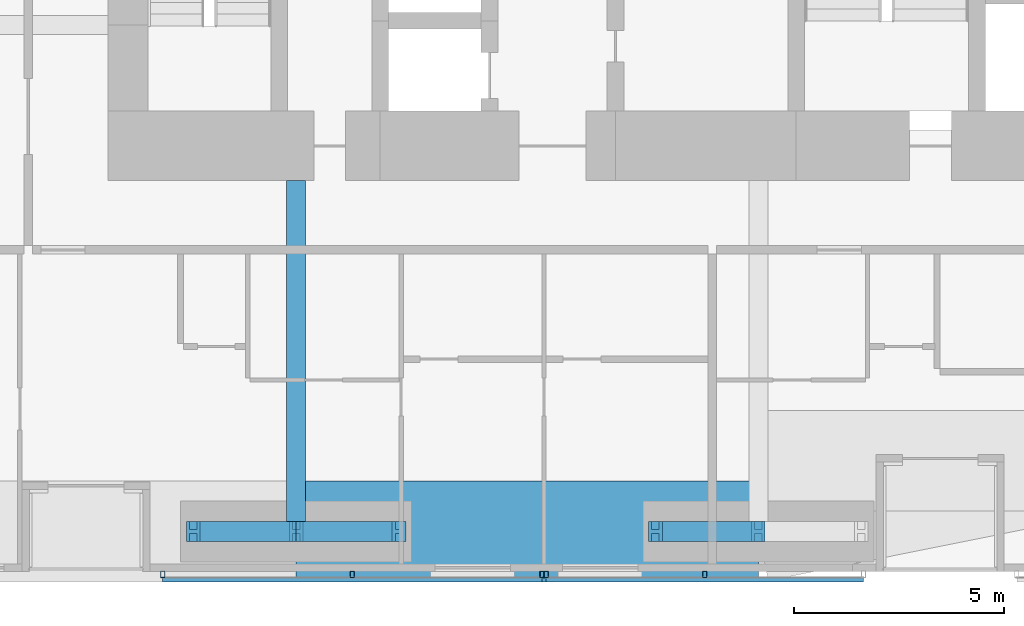
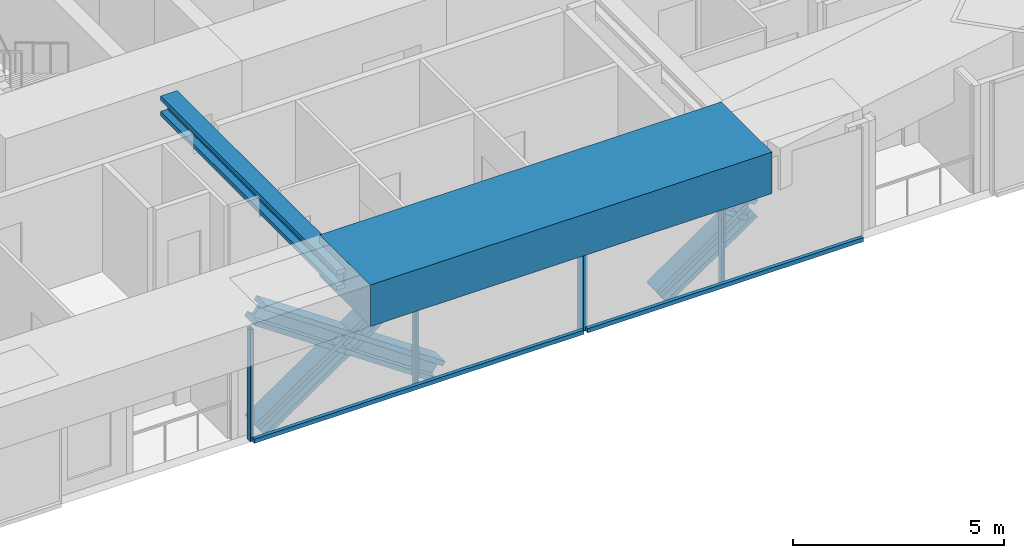
# One storey, part 4 of 22: 13 members, 2 beams, 2 elements without a shape of their own.
"""IFC4 building model written with IfcOpenShell, lengths in metres."""

from ifc_helpers import new_model, si_unit, direction, frame, origin, origin_2d, place, context, subcontext, project, spatial, rectangle, hollow_rectangle, i_section, extrude, material, material_profile, profile_set, type_object, element, aggregate, save


model = new_model("IFC4")

# Units and contexts
model_context = context("Model", 3, precision=1e-05, world=origin(), true_north=direction((0.0, 1.0)))
body_context = subcontext(model_context, "Body", "Model", "MODEL_VIEW")
ifc_project = project(units=[si_unit("LENGTHUNIT", "METRE"), si_unit("AREAUNIT", "SQUARE_METRE"), si_unit("VOLUMEUNIT", "CUBIC_METRE"), si_unit("PLANEANGLEUNIT", "RADIAN"), si_unit("MASSUNIT", "GRAM", prefix="KILO")], contexts=[model_context])

# Site, building, storey
site_placement = place(None, origin())
site = spatial("IfcSite", under=ifc_project, at=site_placement, CompositionType="ELEMENT")
building_placement = place(site_placement, origin())
building = spatial("IfcBuilding", under=site, at=building_placement, Name="Jalousie Tower", CompositionType="ELEMENT")
storey_placement = place(building_placement, frame((0.0, 0.0, 67.89990234375)))
storey = spatial("IfcBuildingStorey", under=building, at=storey_placement, Name="L18", CompositionType="ELEMENT", Elevation=67.89990234375)

# Beam
ifc_material_1 = material(Name="Steel ASTM A992 Grade 50", Category="steel")
ifc_material_profile_1 = material_profile(ifc_material_1, i_section(OverallWidth=0.45458984375, OverallDepth=0.569091796875, WebThickness=0.077880859375, FlangeThickness=0.124755859375, at=origin_2d()), Name="W14X730")
ifc_profile_set_1 = profile_set([ifc_material_profile_1], Name="Steel ASTM A992 Grade 50")
beam_type_1 = type_object("IfcBeamType", Name="LEAN COLLECTOR W14X730", PredefinedType="BEAM", material=ifc_profile_set_1)
beam_1_placement = place(storey_placement, frame((24.0, 0.949951171875, 2.82568359375), z_axis=(0.0, 1.0, 0.0), x_axis=(-1.0, 0.0, 0.0)))
element("IfcBeam", 1, at=beam_1_placement, inside=storey, type_object=beam_type_1, Name="Lean collector under L19", PredefinedType="BEAM", context=body_context, shape_type="SweptSolid", body=[
    extrude(i_section(OverallWidth=0.45458984375, OverallDepth=0.569091796875, WebThickness=0.077880859375, FlangeThickness=0.124755859375, at=origin_2d()), origin(), (0.0, 0.0, 1.0), 8.35009765625),
])

# Members
ifc_material_2 = material(Name="Steel ASTM A992 Grade 50", Category="steel")
ifc_material_profile_2 = material_profile(ifc_material_2, i_section(OverallWidth=0.472412109375, OverallDepth=0.5791015625, WebThickness=0.094970703125, FlangeThickness=0.1298828125, at=origin_2d()), Name="W14X808")
ifc_profile_set_2 = profile_set([ifc_material_profile_2], Name="Steel ASTM A992 Grade 50")
member_type_1 = type_object("IfcMemberType", Name="PERIMETER BRACE W14X808", PredefinedType="BRACE", material=ifc_profile_set_2)
for number, where, z_axis, x_axis, name in (
    (2, (21.550048828125, 0.949951171875, -0.599853515625), (0.825500916831, 0.0, 0.564400776321), (0.0, 1.0, 0.0), "Perimeter brace 03 L18 part 1"),
    (3, (24.0, 0.949951171875, 1.0751953125), (0.825539243753, 0.0, 0.564344714713), (0.0, 1.0, 0.0), "Perimeter brace 03 L18 part 2"),
    (4, (26.449951171875, 0.949951171875, -0.599853515625), (-0.825500916831, 0.0, 0.564400776321), (0.0, -1.0, 0.0), "Perimeter brace 03 L18 part 3"),
    (5, (24.0, 0.949951171875, 1.0751953125), (-0.825539243753, 0.0, 0.564344714713), (0.0, -1.0, 0.0), "Perimeter brace 03 L18 part 4"),
    (6, (32.550048828125, 0.949951171875, -0.599853515625), (0.825500916831, 0.0, 0.564400776321), (0.0, 1.0, 0.0), "Perimeter brace 04 L18 part 1"),
    (7, (35.0, 0.949951171875, 1.0751953125), (-0.825539243753, 0.0, 0.564344714713), (0.0, -1.0, 0.0), "Perimeter brace 04 L18 part 4"),
):
    element("IfcMember", number, at=place(storey_placement, frame(where, z_axis=z_axis, x_axis=x_axis)), inside=storey, type_object=member_type_1, Name=name, PredefinedType="BRACE", context=body_context, shape_type="SweptSolid", body=[
        extrude(i_section(OverallWidth=0.472412109375, OverallDepth=0.5791015625, WebThickness=0.094970703125, FlangeThickness=0.1298828125, at=origin_2d()), origin(), (0.0, 0.0, 1.0), 2.9677734375),
    ])

# Beam
ifc_material_3 = material(Name="Concrete f'c 40 MPa", Category="concrete")
ifc_material_profile_3 = material_profile(ifc_material_3, rectangle(XDim=2.39990234375, YDim=1.199951171875, at=origin_2d()), Name="RC 2400x1200")
ifc_profile_set_3 = profile_set([ifc_material_profile_3], Name="Concrete f'c 40 MPa")
beam_type_2 = type_object("IfcBeamType", Name="RC BEAM 2400x1200", PredefinedType="BEAM", material=ifc_profile_set_3)
beam_2_placement = place(storey_placement, frame((24.0, 0.949951171875, 2.75), z_axis=(1.0, 0.0, 0.0), x_axis=(0.0, 1.0, 0.0)))
element("IfcBeam", 8, at=beam_2_placement, inside=storey, type_object=beam_type_2, Name="Edge band beam 03-04 under L19", PredefinedType="BEAM", context=body_context, shape_type="SweptSolid", body=[
    extrude(rectangle(XDim=2.39990234375, YDim=1.199951171875, at=origin_2d()), origin(), (0.0, 0.0, 1.0), 11.0),
])

# Curtain wall, members
ifc_material_4 = material(Name="Perforated aluminium sheet", Category="aluminium")
curtain_wall_type = type_object("IfcCurtainWallType", Name="SOLAR SCREEN SS-1", PredefinedType="USERDEFINED", material=ifc_material_4)
curtain_wall_1_placement = place(storey_placement, origin())
curtain_wall_1 = element("IfcCurtainWall", 9, at=curtain_wall_1_placement, inside=storey, type_object=curtain_wall_type, Name="Solar screen L18", ObjectType="SOLAR SCREEN SS-1", PredefinedType="USERDEFINED")
ifc_material_5 = material(Name="Steel ASTM A500 Grade C", Category="steel")
ifc_material_profile_4 = material_profile(ifc_material_5, hollow_rectangle(XDim=0.1015625, YDim=0.15234375, WallThickness=0.00634765625, at=origin_2d()), Name="HSS6X4X1/4")
ifc_profile_set_4 = profile_set([ifc_material_profile_4], Name="Steel ASTM A500 Grade C")
member_type_2 = type_object("IfcMemberType", Name="SOLAR SCREEN SS-1 MULLION", PredefinedType="MULLION", material=ifc_profile_set_4)
member_1_placement = place(storey_placement, frame((20.824951171875, -0.0712890625, -0.119873046875), z_axis=(0.0, 0.0, 1.0), x_axis=(1.0, 0.0, 0.0)))
member_1 = element("IfcMember", 10, at=member_1_placement, type_object=member_type_2, Name="SS1 post 1", PredefinedType="MULLION", context=body_context, shape_type="SweptSolid", body=[
    extrude(hollow_rectangle(XDim=0.1015625, YDim=0.15234375, WallThickness=0.00634765625, at=origin_2d()), origin(), (0.0, 0.0, 1.0), 3.22998046875),
])
member_2_placement = place(storey_placement, frame((25.33740234375, -0.0712890625, -0.119873046875), z_axis=(0.0, 0.0, 1.0), x_axis=(1.0, 0.0, 0.0)))
member_2 = element("IfcMember", 11, at=member_2_placement, type_object=member_type_2, Name="SS1 post 2", PredefinedType="MULLION", context=body_context, shape_type="SweptSolid", body=[
    extrude(hollow_rectangle(XDim=0.1015625, YDim=0.15234375, WallThickness=0.00634765625, at=origin_2d()), origin(), (0.0, 0.0, 1.0), 3.22998046875),
])
member_3_placement = place(storey_placement, frame((29.85009765625, -0.0712890625, -0.119873046875), z_axis=(0.0, 0.0, 1.0), x_axis=(1.0, 0.0, 0.0)))
member_3 = element("IfcMember", 12, at=member_3_placement, type_object=member_type_2, Name="SS1 post 3", PredefinedType="MULLION", context=body_context, shape_type="SweptSolid", body=[
    extrude(hollow_rectangle(XDim=0.1015625, YDim=0.15234375, WallThickness=0.00634765625, at=origin_2d()), origin(), (0.0, 0.0, 1.0), 3.22998046875),
])

curtain_wall_2_placement = place(storey_placement, origin())
curtain_wall_2 = element("IfcCurtainWall", 13, at=curtain_wall_2_placement, inside=storey, type_object=curtain_wall_type, Name="Solar screen L18", ObjectType="SOLAR SCREEN SS-1", PredefinedType="USERDEFINED")
member_4_placement = place(storey_placement, frame((29.949951171875, -0.0712890625, -0.119873046875), z_axis=(0.0, 0.0, 1.0), x_axis=(1.0, 0.0, 0.0)))
member_4 = element("IfcMember", 14, at=member_4_placement, type_object=member_type_2, Name="SS1 post 1", PredefinedType="MULLION", context=body_context, shape_type="SweptSolid", body=[
    extrude(hollow_rectangle(XDim=0.1015625, YDim=0.15234375, WallThickness=0.00634765625, at=origin_2d()), origin(), (0.0, 0.0, 1.0), 3.22998046875),
])
member_5_placement = place(storey_placement, frame((33.72509765625, -0.0712890625, -0.119873046875), z_axis=(0.0, 0.0, 1.0), x_axis=(1.0, 0.0, 0.0)))
member_5 = element("IfcMember", 15, at=member_5_placement, type_object=member_type_2, Name="SS1 post 2", PredefinedType="MULLION", context=body_context, shape_type="SweptSolid", body=[
    extrude(hollow_rectangle(XDim=0.1015625, YDim=0.15234375, WallThickness=0.00634765625, at=origin_2d()), origin(), (0.0, 0.0, 1.0), 3.22998046875),
])

# Member
ifc_material_6 = material(Name="Extruded aluminium screen rail", Category="aluminium")
ifc_material_profile_5 = material_profile(ifc_material_6, rectangle(XDim=0.1015625, YDim=0.1201171875, at=origin_2d()), Name="RAIL 102x120")
ifc_profile_set_5 = profile_set([ifc_material_profile_5], Name="Extruded aluminium screen rail")
member_type_3 = type_object("IfcMemberType", Name="SOLAR SCREEN SS-1 TRANSOM", PredefinedType="USERDEFINED", material=ifc_profile_set_5)
member_6_placement = place(storey_placement, frame((20.824951171875, -0.1982421875, -0.059814453125), z_axis=(1.0, 0.0, 0.0), x_axis=(0.0, 1.0, 0.0)))
member_6 = element("IfcMember", 16, at=member_6_placement, type_object=member_type_3, Name="SS1 rail", ObjectType="TRANSOM", PredefinedType="USERDEFINED", context=body_context, shape_type="SweptSolid", body=[
    extrude(rectangle(XDim=0.1015625, YDim=0.1201171875, at=origin_2d()), origin(), (0.0, 0.0, 1.0), 9.025146484375),
])

aggregate(curtain_wall_1, [member_1, member_2, member_3, member_6])

member_7_placement = place(storey_placement, frame((29.949951171875, -0.1982421875, -0.059814453125), z_axis=(1.0, 0.0, 0.0), x_axis=(0.0, 1.0, 0.0)))
member_7 = element("IfcMember", 17, at=member_7_placement, type_object=member_type_3, Name="SS1 rail", ObjectType="TRANSOM", PredefinedType="USERDEFINED", context=body_context, shape_type="SweptSolid", body=[
    extrude(rectangle(XDim=0.1015625, YDim=0.1201171875, at=origin_2d()), origin(), (0.0, 0.0, 1.0), 7.550048828125),
])

aggregate(curtain_wall_2, [member_4, member_5, member_7])

save(model, "model.ifc")
